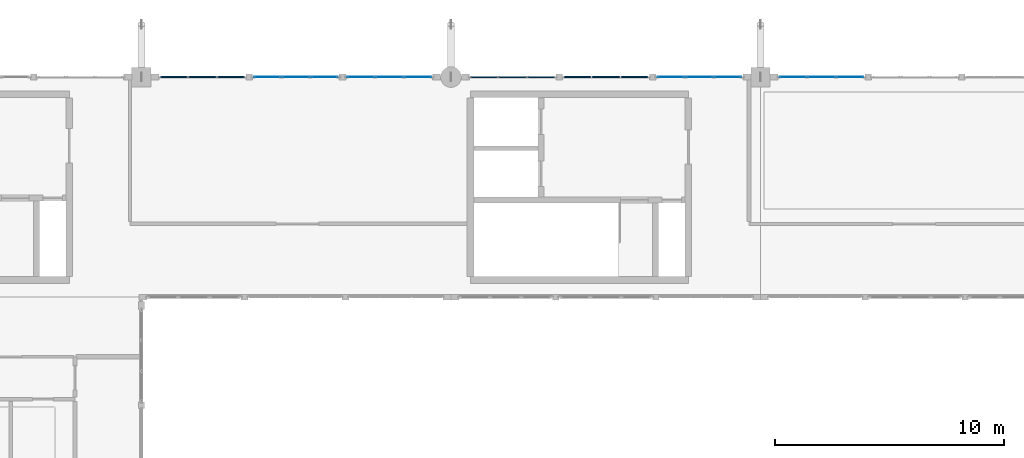
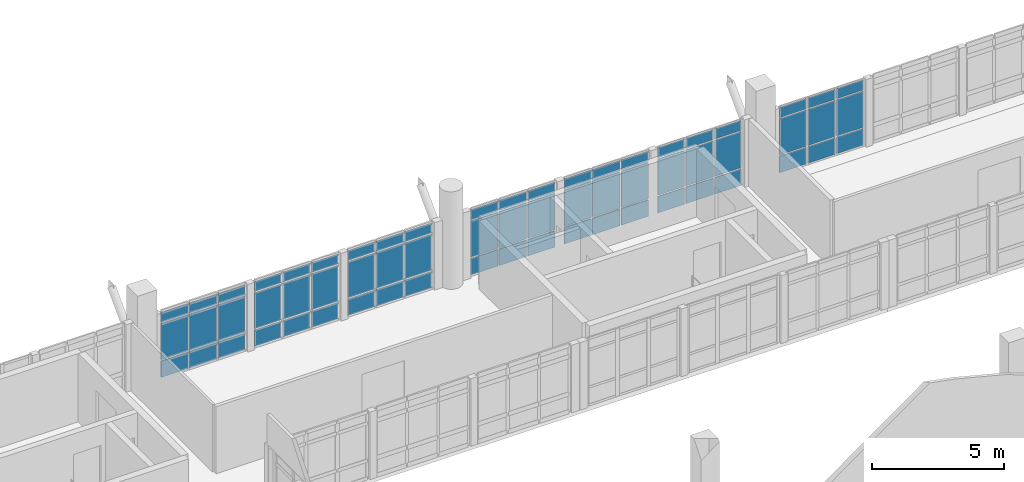
# One storey, part 26 of 37: 63 plates, 7 elements without a shape of their own.
"""IFC4 building model written with IfcOpenShell, lengths in metres."""

from ifc_helpers import new_model, si_unit, direction, frame, origin, origin_2d, place, context, subcontext, project, spatial, rectangle, extrude, material, layer, layer_set, type_object, element, aggregate, save


model = new_model("IFC4")

# Units and contexts
model_context = context("Model", 3, precision=1e-05, world=origin(), true_north=direction((0.0, 1.0)))
body_context = subcontext(model_context, "Body", "Model", "MODEL_VIEW")
ifc_project = project(units=[si_unit("LENGTHUNIT", "METRE"), si_unit("AREAUNIT", "SQUARE_METRE"), si_unit("VOLUMEUNIT", "CUBIC_METRE"), si_unit("PLANEANGLEUNIT", "RADIAN"), si_unit("MASSUNIT", "GRAM", prefix="KILO")], contexts=[model_context])

# Site, building, storey
site_placement = place(None, origin())
site = spatial("IfcSite", under=ifc_project, at=site_placement, CompositionType="ELEMENT")
building_placement = place(site_placement, origin())
building = spatial("IfcBuilding", under=site, at=building_placement, Name="Fikremerkos Civic Library", CompositionType="ELEMENT")
storey_placement = place(building_placement, frame((0.0, 0.0, 23.39990234375)))
storey = spatial("IfcBuildingStorey", under=building, at=storey_placement, Name="L05", CompositionType="ELEMENT", Elevation=23.39990234375)

# Curtain wall, plates
ifc_material_1 = material(Name="Anodized aluminium Frame", Category="aluminium")
ifc_layer_1 = layer(ifc_material_1, 0.159912109375, Name="Anodized aluminium Frame")
ifc_layer_set_1 = layer_set([ifc_layer_1], Name="Anodized aluminium Frame")
curtain_wall_type_1 = type_object("IfcCurtainWallType", Name="Unitised curtain wall CW-09 3600x3400", PredefinedType="USERDEFINED", material=ifc_layer_set_1)
curtain_wall_1_placement = place(storey_placement, origin())
curtain_wall_1 = element("IfcCurtainWall", 1, at=curtain_wall_1_placement, inside=storey, type_object=curtain_wall_type_1, Name="Unitised curtain wall CW-09 L05 #261", ObjectType="UNITISED CURTAIN WALL", PredefinedType="USERDEFINED")
ifc_material_2 = material(Name="Solar control double glazing", Category="glass")
ifc_layer_2 = layer(ifc_material_2, 0.028076171875, Name="Solar control double glazing")
ifc_layer_set_2 = layer_set([ifc_layer_2], Name="Solar control double glazing")
plate_type_1 = type_object("IfcPlateType", Name="Curtain glazing panel CWP-01 28", PredefinedType="CURTAIN_PANEL", material=ifc_layer_set_2)
plate_1_placement = place(storey_placement, frame((38.195068359375, 31.199951171875, 0.070068359375), z_axis=(0.0, 0.0, 1.0), x_axis=(1.0, 0.0, 0.0)))
plate_1 = element("IfcPlate", 2, at=plate_1_placement, type_object=plate_type_1, Name="CW-09 panel 1.1", PredefinedType="CURTAIN_PANEL", context=body_context, shape_type="SweptSolid", body=[
    extrude(rectangle(XDim=1.161376953125, YDim=0.028076171875, at=origin_2d()), origin(), (0.0, 0.0, 1.0), 0.7451171875),
])
plate_2_placement = place(storey_placement, frame((38.195068359375, 31.199951171875, 0.88525390625), z_axis=(0.0, 0.0, 1.0), x_axis=(1.0, 0.0, 0.0)))
plate_2 = element("IfcPlate", 3, at=plate_2_placement, type_object=plate_type_1, Name="CW-09 panel 1.2", PredefinedType="CURTAIN_PANEL", context=body_context, shape_type="SweptSolid", body=[
    extrude(rectangle(XDim=1.161376953125, YDim=0.028076171875, at=origin_2d()), origin(), (0.0, 0.0, 1.0), 1.64990234375),
])
plate_3_placement = place(storey_placement, frame((38.195068359375, 31.199951171875, 2.60498046875), z_axis=(0.0, 0.0, 1.0), x_axis=(1.0, 0.0, 0.0)))
plate_3 = element("IfcPlate", 4, at=plate_3_placement, type_object=plate_type_1, Name="CW-09 panel 1.3", PredefinedType="CURTAIN_PANEL", context=body_context, shape_type="SweptSolid", body=[
    extrude(rectangle(XDim=1.161376953125, YDim=0.028076171875, at=origin_2d()), origin(), (0.0, 0.0, 1.0), 0.445068359375),
])
plate_4_placement = place(storey_placement, frame((39.4375, 31.199951171875, 0.070068359375), z_axis=(0.0, 0.0, 1.0), x_axis=(1.0, 0.0, 0.0)))
plate_4 = element("IfcPlate", 5, at=plate_4_placement, type_object=plate_type_1, Name="CW-09 panel 2.1", PredefinedType="CURTAIN_PANEL", context=body_context, shape_type="SweptSolid", body=[
    extrude(rectangle(XDim=1.19384765625, YDim=0.028076171875, at=origin_2d()), origin(), (0.0, 0.0, 1.0), 0.7451171875),
])
plate_5_placement = place(storey_placement, frame((39.4375, 31.199951171875, 0.88525390625), z_axis=(0.0, 0.0, 1.0), x_axis=(1.0, 0.0, 0.0)))
plate_5 = element("IfcPlate", 6, at=plate_5_placement, type_object=plate_type_1, Name="CW-09 panel 2.2", PredefinedType="CURTAIN_PANEL", context=body_context, shape_type="SweptSolid", body=[
    extrude(rectangle(XDim=1.19384765625, YDim=0.028076171875, at=origin_2d()), origin(), (0.0, 0.0, 1.0), 1.64990234375),
])
plate_6_placement = place(storey_placement, frame((39.4375, 31.199951171875, 2.60498046875), z_axis=(0.0, 0.0, 1.0), x_axis=(1.0, 0.0, 0.0)))
plate_6 = element("IfcPlate", 7, at=plate_6_placement, type_object=plate_type_1, Name="CW-09 panel 2.3", PredefinedType="CURTAIN_PANEL", context=body_context, shape_type="SweptSolid", body=[
    extrude(rectangle(XDim=1.19384765625, YDim=0.028076171875, at=origin_2d()), origin(), (0.0, 0.0, 1.0), 0.445068359375),
])
plate_7_placement = place(storey_placement, frame((40.679931640625, 31.199951171875, 0.070068359375), z_axis=(0.0, 0.0, 1.0), x_axis=(1.0, 0.0, 0.0)))
plate_7 = element("IfcPlate", 8, at=plate_7_placement, type_object=plate_type_1, Name="CW-09 panel 3.1", PredefinedType="CURTAIN_PANEL", context=body_context, shape_type="SweptSolid", body=[
    extrude(rectangle(XDim=1.161376953125, YDim=0.028076171875, at=origin_2d()), origin(), (0.0, 0.0, 1.0), 0.7451171875),
])
plate_8_placement = place(storey_placement, frame((40.679931640625, 31.199951171875, 0.88525390625), z_axis=(0.0, 0.0, 1.0), x_axis=(1.0, 0.0, 0.0)))
plate_8 = element("IfcPlate", 9, at=plate_8_placement, type_object=plate_type_1, Name="CW-09 panel 3.2", PredefinedType="CURTAIN_PANEL", context=body_context, shape_type="SweptSolid", body=[
    extrude(rectangle(XDim=1.161376953125, YDim=0.028076171875, at=origin_2d()), origin(), (0.0, 0.0, 1.0), 1.64990234375),
])
plate_9_placement = place(storey_placement, frame((40.679931640625, 31.199951171875, 2.60498046875), z_axis=(0.0, 0.0, 1.0), x_axis=(1.0, 0.0, 0.0)))
plate_9 = element("IfcPlate", 10, at=plate_9_placement, type_object=plate_type_1, Name="CW-09 panel 3.3", PredefinedType="CURTAIN_PANEL", context=body_context, shape_type="SweptSolid", body=[
    extrude(rectangle(XDim=1.161376953125, YDim=0.028076171875, at=origin_2d()), origin(), (0.0, 0.0, 1.0), 0.445068359375),
])
aggregate(curtain_wall_1, [plate_1, plate_2, plate_3, plate_4, plate_5, plate_6, plate_7, plate_8, plate_9])

ifc_layer_3 = layer(ifc_material_1, 0.159912109375, Name="Anodized aluminium Frame")
ifc_layer_set_3 = layer_set([ifc_layer_3], Name="Anodized aluminium Frame")
curtain_wall_type_2 = type_object("IfcCurtainWallType", Name="Unitised curtain wall CW-13 3700x3200", PredefinedType="USERDEFINED", material=ifc_layer_set_3)
curtain_wall_2_placement = place(storey_placement, origin())
curtain_wall_2 = element("IfcCurtainWall", 11, at=curtain_wall_2_placement, inside=storey, type_object=curtain_wall_type_2, Name="Unitised curtain wall CW-13 L05 #265", ObjectType="UNITISED CURTAIN WALL", PredefinedType="USERDEFINED")
plate_10_placement = place(storey_placement, frame((55.79638671875, 31.199951171875, 0.06005859375), z_axis=(0.0, 0.0, 1.0), x_axis=(1.0, 0.0, 0.0)))
plate_10 = element("IfcPlate", 12, at=plate_10_placement, type_object=plate_type_1, Name="CW-13 panel 1.1", PredefinedType="CURTAIN_PANEL", context=body_context, shape_type="SweptSolid", body=[
    extrude(rectangle(XDim=1.161376953125, YDim=0.028076171875, at=origin_2d()), origin(), (0.0, 0.0, 1.0), 0.760009765625),
])
plate_11_placement = place(storey_placement, frame((55.79638671875, 31.199951171875, 0.88037109375), z_axis=(0.0, 0.0, 1.0), x_axis=(1.0, 0.0, 0.0)))
plate_11 = element("IfcPlate", 13, at=plate_11_placement, type_object=plate_type_1, Name="CW-13 panel 1.2", PredefinedType="CURTAIN_PANEL", context=body_context, shape_type="SweptSolid", body=[
    extrude(rectangle(XDim=1.161376953125, YDim=0.028076171875, at=origin_2d()), origin(), (0.0, 0.0, 1.0), 1.659912109375),
])
plate_12_placement = place(storey_placement, frame((55.79638671875, 31.199951171875, 2.60009765625), z_axis=(0.0, 0.0, 1.0), x_axis=(1.0, 0.0, 0.0)))
plate_12 = element("IfcPlate", 14, at=plate_12_placement, type_object=plate_type_1, Name="CW-13 panel 1.3", PredefinedType="CURTAIN_PANEL", context=body_context, shape_type="SweptSolid", body=[
    extrude(rectangle(XDim=1.161376953125, YDim=0.028076171875, at=origin_2d()), origin(), (0.0, 0.0, 1.0), 0.4599609375),
])
plate_13_placement = place(storey_placement, frame((57.038818359375, 31.199951171875, 0.06005859375), z_axis=(0.0, 0.0, 1.0), x_axis=(1.0, 0.0, 0.0)))
plate_13 = element("IfcPlate", 15, at=plate_13_placement, type_object=plate_type_1, Name="CW-13 panel 2.1", PredefinedType="CURTAIN_PANEL", context=body_context, shape_type="SweptSolid", body=[
    extrude(rectangle(XDim=1.19384765625, YDim=0.028076171875, at=origin_2d()), origin(), (0.0, 0.0, 1.0), 0.760009765625),
])
plate_14_placement = place(storey_placement, frame((57.038818359375, 31.199951171875, 0.88037109375), z_axis=(0.0, 0.0, 1.0), x_axis=(1.0, 0.0, 0.0)))
plate_14 = element("IfcPlate", 16, at=plate_14_placement, type_object=plate_type_1, Name="CW-13 panel 2.2", PredefinedType="CURTAIN_PANEL", context=body_context, shape_type="SweptSolid", body=[
    extrude(rectangle(XDim=1.19384765625, YDim=0.028076171875, at=origin_2d()), origin(), (0.0, 0.0, 1.0), 1.659912109375),
])
plate_15_placement = place(storey_placement, frame((57.038818359375, 31.199951171875, 2.60009765625), z_axis=(0.0, 0.0, 1.0), x_axis=(1.0, 0.0, 0.0)))
plate_15 = element("IfcPlate", 17, at=plate_15_placement, type_object=plate_type_1, Name="CW-13 panel 2.3", PredefinedType="CURTAIN_PANEL", context=body_context, shape_type="SweptSolid", body=[
    extrude(rectangle(XDim=1.19384765625, YDim=0.028076171875, at=origin_2d()), origin(), (0.0, 0.0, 1.0), 0.4599609375),
])
plate_16_placement = place(storey_placement, frame((58.28125, 31.199951171875, 0.06005859375), z_axis=(0.0, 0.0, 1.0), x_axis=(1.0, 0.0, 0.0)))
plate_16 = element("IfcPlate", 18, at=plate_16_placement, type_object=plate_type_1, Name="CW-13 panel 3.1", PredefinedType="CURTAIN_PANEL", context=body_context, shape_type="SweptSolid", body=[
    extrude(rectangle(XDim=1.161376953125, YDim=0.028076171875, at=origin_2d()), origin(), (0.0, 0.0, 1.0), 0.760009765625),
])
plate_17_placement = place(storey_placement, frame((58.28125, 31.199951171875, 0.88037109375), z_axis=(0.0, 0.0, 1.0), x_axis=(1.0, 0.0, 0.0)))
plate_17 = element("IfcPlate", 19, at=plate_17_placement, type_object=plate_type_1, Name="CW-13 panel 3.2", PredefinedType="CURTAIN_PANEL", context=body_context, shape_type="SweptSolid", body=[
    extrude(rectangle(XDim=1.161376953125, YDim=0.028076171875, at=origin_2d()), origin(), (0.0, 0.0, 1.0), 1.659912109375),
])
plate_18_placement = place(storey_placement, frame((58.28125, 31.199951171875, 2.60009765625), z_axis=(0.0, 0.0, 1.0), x_axis=(1.0, 0.0, 0.0)))
plate_18 = element("IfcPlate", 20, at=plate_18_placement, type_object=plate_type_1, Name="CW-13 panel 3.3", PredefinedType="CURTAIN_PANEL", context=body_context, shape_type="SweptSolid", body=[
    extrude(rectangle(XDim=1.161376953125, YDim=0.028076171875, at=origin_2d()), origin(), (0.0, 0.0, 1.0), 0.4599609375),
])
aggregate(curtain_wall_2, [plate_10, plate_11, plate_12, plate_13, plate_14, plate_15, plate_16, plate_17, plate_18])

ifc_layer_4 = layer(ifc_material_1, 0.159912109375, Name="Anodized aluminium Frame")
ifc_layer_set_4 = layer_set([ifc_layer_4], Name="Anodized aluminium Frame")
curtain_wall_type_3 = type_object("IfcCurtainWallType", Name="Unitised curtain wall CW-10 4000x3400", PredefinedType="USERDEFINED", material=ifc_layer_set_4)
curtain_wall_3_placement = place(storey_placement, origin())
curtain_wall_3 = element("IfcCurtainWall", 21, at=curtain_wall_3_placement, inside=storey, type_object=curtain_wall_type_3, Name="Unitised curtain wall CW-10 L05 #262", ObjectType="UNITISED CURTAIN WALL", PredefinedType="USERDEFINED")
ifc_layer_5 = layer(ifc_material_2, 0.035888671875, Name="Solar control double glazing")
ifc_layer_set_5 = layer_set([ifc_layer_5], Name="Solar control double glazing")
plate_type_2 = type_object("IfcPlateType", Name="Curtain glazing panel CWP-02 36", PredefinedType="CURTAIN_PANEL", material=ifc_layer_set_5)
plate_19_placement = place(storey_placement, frame((42.27001953125, 31.199951171875, 0.070068359375), z_axis=(0.0, 0.0, 1.0), x_axis=(1.0, 0.0, 0.0)))
plate_19 = element("IfcPlate", 22, at=plate_19_placement, type_object=plate_type_2, Name="CW-10 panel 1.1", PredefinedType="CURTAIN_PANEL", context=body_context, shape_type="SweptSolid", body=[
    extrude(rectangle(XDim=1.168701171875, YDim=0.035888671875, at=origin_2d()), origin(), (0.0, 0.0, 1.0), 0.7451171875),
])
plate_20_placement = place(storey_placement, frame((42.27001953125, 31.199951171875, 0.88525390625), z_axis=(0.0, 0.0, 1.0), x_axis=(1.0, 0.0, 0.0)))
plate_20 = element("IfcPlate", 23, at=plate_20_placement, type_object=plate_type_2, Name="CW-10 panel 1.2", PredefinedType="CURTAIN_PANEL", context=body_context, shape_type="SweptSolid", body=[
    extrude(rectangle(XDim=1.168701171875, YDim=0.035888671875, at=origin_2d()), origin(), (0.0, 0.0, 1.0), 1.64990234375),
])
plate_21_placement = place(storey_placement, frame((42.27001953125, 31.199951171875, 2.60498046875), z_axis=(0.0, 0.0, 1.0), x_axis=(1.0, 0.0, 0.0)))
plate_21 = element("IfcPlate", 24, at=plate_21_placement, type_object=plate_type_2, Name="CW-10 panel 1.3", PredefinedType="CURTAIN_PANEL", context=body_context, shape_type="SweptSolid", body=[
    extrude(rectangle(XDim=1.168701171875, YDim=0.035888671875, at=origin_2d()), origin(), (0.0, 0.0, 1.0), 0.445068359375),
])
plate_22_placement = place(storey_placement, frame((43.513916015625, 31.199951171875, 0.070068359375), z_axis=(0.0, 0.0, 1.0), x_axis=(1.0, 0.0, 0.0)))
plate_22 = element("IfcPlate", 25, at=plate_22_placement, type_object=plate_type_2, Name="CW-10 panel 2.1", PredefinedType="CURTAIN_PANEL", context=body_context, shape_type="SweptSolid", body=[
    extrude(rectangle(XDim=1.19873046875, YDim=0.035888671875, at=origin_2d()), origin(), (0.0, 0.0, 1.0), 0.7451171875),
])
plate_23_placement = place(storey_placement, frame((43.513916015625, 31.199951171875, 0.88525390625), z_axis=(0.0, 0.0, 1.0), x_axis=(1.0, 0.0, 0.0)))
plate_23 = element("IfcPlate", 26, at=plate_23_placement, type_object=plate_type_2, Name="CW-10 panel 2.2", PredefinedType="CURTAIN_PANEL", context=body_context, shape_type="SweptSolid", body=[
    extrude(rectangle(XDim=1.19873046875, YDim=0.035888671875, at=origin_2d()), origin(), (0.0, 0.0, 1.0), 1.64990234375),
])
plate_24_placement = place(storey_placement, frame((43.513916015625, 31.199951171875, 2.60498046875), z_axis=(0.0, 0.0, 1.0), x_axis=(1.0, 0.0, 0.0)))
plate_24 = element("IfcPlate", 27, at=plate_24_placement, type_object=plate_type_2, Name="CW-10 panel 2.3", PredefinedType="CURTAIN_PANEL", context=body_context, shape_type="SweptSolid", body=[
    extrude(rectangle(XDim=1.19873046875, YDim=0.035888671875, at=origin_2d()), origin(), (0.0, 0.0, 1.0), 0.445068359375),
])
plate_25_placement = place(storey_placement, frame((44.757568359375, 31.199951171875, 0.070068359375), z_axis=(0.0, 0.0, 1.0), x_axis=(1.0, 0.0, 0.0)))
plate_25 = element("IfcPlate", 28, at=plate_25_placement, type_object=plate_type_2, Name="CW-10 panel 3.1", PredefinedType="CURTAIN_PANEL", context=body_context, shape_type="SweptSolid", body=[
    extrude(rectangle(XDim=1.168701171875, YDim=0.035888671875, at=origin_2d()), origin(), (0.0, 0.0, 1.0), 0.7451171875),
])
plate_26_placement = place(storey_placement, frame((44.757568359375, 31.199951171875, 0.88525390625), z_axis=(0.0, 0.0, 1.0), x_axis=(1.0, 0.0, 0.0)))
plate_26 = element("IfcPlate", 29, at=plate_26_placement, type_object=plate_type_2, Name="CW-10 panel 3.2", PredefinedType="CURTAIN_PANEL", context=body_context, shape_type="SweptSolid", body=[
    extrude(rectangle(XDim=1.168701171875, YDim=0.035888671875, at=origin_2d()), origin(), (0.0, 0.0, 1.0), 1.64990234375),
])
plate_27_placement = place(storey_placement, frame((44.757568359375, 31.199951171875, 2.60498046875), z_axis=(0.0, 0.0, 1.0), x_axis=(1.0, 0.0, 0.0)))
plate_27 = element("IfcPlate", 30, at=plate_27_placement, type_object=plate_type_2, Name="CW-10 panel 3.3", PredefinedType="CURTAIN_PANEL", context=body_context, shape_type="SweptSolid", body=[
    extrude(rectangle(XDim=1.168701171875, YDim=0.035888671875, at=origin_2d()), origin(), (0.0, 0.0, 1.0), 0.445068359375),
])
aggregate(curtain_wall_3, [plate_19, plate_20, plate_21, plate_22, plate_23, plate_24, plate_25, plate_26, plate_27])

ifc_layer_6 = layer(ifc_material_1, 0.159912109375, Name="Anodized aluminium Frame")
ifc_layer_set_6 = layer_set([ifc_layer_6], Name="Anodized aluminium Frame")
curtain_wall_type_4 = type_object("IfcCurtainWallType", Name="Unitised curtain wall CW-14 4100x3200", PredefinedType="USERDEFINED", material=ifc_layer_set_6)
curtain_wall_4_placement = place(storey_placement, origin())
curtain_wall_4 = element("IfcCurtainWall", 31, at=curtain_wall_4_placement, inside=storey, type_object=curtain_wall_type_4, Name="Unitised curtain wall CW-14 L05 #266", ObjectType="UNITISED CURTAIN WALL", PredefinedType="USERDEFINED")
plate_28_placement = place(storey_placement, frame((61.117431640625, 31.199951171875, 0.06005859375), z_axis=(0.0, 0.0, 1.0), x_axis=(1.0, 0.0, 0.0)))
plate_28 = element("IfcPlate", 32, at=plate_28_placement, type_object=plate_type_2, Name="CW-14 panel 1.1", PredefinedType="CURTAIN_PANEL", context=body_context, shape_type="SweptSolid", body=[
    extrude(rectangle(XDim=1.168701171875, YDim=0.035888671875, at=origin_2d()), origin(), (0.0, 0.0, 1.0), 0.760009765625),
])
plate_29_placement = place(storey_placement, frame((61.117431640625, 31.199951171875, 0.88037109375), z_axis=(0.0, 0.0, 1.0), x_axis=(1.0, 0.0, 0.0)))
plate_29 = element("IfcPlate", 33, at=plate_29_placement, type_object=plate_type_2, Name="CW-14 panel 1.2", PredefinedType="CURTAIN_PANEL", context=body_context, shape_type="SweptSolid", body=[
    extrude(rectangle(XDim=1.168701171875, YDim=0.035888671875, at=origin_2d()), origin(), (0.0, 0.0, 1.0), 1.659912109375),
])
plate_30_placement = place(storey_placement, frame((61.117431640625, 31.199951171875, 2.60009765625), z_axis=(0.0, 0.0, 1.0), x_axis=(1.0, 0.0, 0.0)))
plate_30 = element("IfcPlate", 34, at=plate_30_placement, type_object=plate_type_2, Name="CW-14 panel 1.3", PredefinedType="CURTAIN_PANEL", context=body_context, shape_type="SweptSolid", body=[
    extrude(rectangle(XDim=1.168701171875, YDim=0.035888671875, at=origin_2d()), origin(), (0.0, 0.0, 1.0), 0.4599609375),
])
plate_31_placement = place(storey_placement, frame((62.361083984375, 31.199951171875, 0.06005859375), z_axis=(0.0, 0.0, 1.0), x_axis=(1.0, 0.0, 0.0)))
plate_31 = element("IfcPlate", 35, at=plate_31_placement, type_object=plate_type_2, Name="CW-14 panel 2.1", PredefinedType="CURTAIN_PANEL", context=body_context, shape_type="SweptSolid", body=[
    extrude(rectangle(XDim=1.19873046875, YDim=0.035888671875, at=origin_2d()), origin(), (0.0, 0.0, 1.0), 0.760009765625),
])
plate_32_placement = place(storey_placement, frame((62.361083984375, 31.199951171875, 0.88037109375), z_axis=(0.0, 0.0, 1.0), x_axis=(1.0, 0.0, 0.0)))
plate_32 = element("IfcPlate", 36, at=plate_32_placement, type_object=plate_type_2, Name="CW-14 panel 2.2", PredefinedType="CURTAIN_PANEL", context=body_context, shape_type="SweptSolid", body=[
    extrude(rectangle(XDim=1.19873046875, YDim=0.035888671875, at=origin_2d()), origin(), (0.0, 0.0, 1.0), 1.659912109375),
])
plate_33_placement = place(storey_placement, frame((62.361083984375, 31.199951171875, 2.60009765625), z_axis=(0.0, 0.0, 1.0), x_axis=(1.0, 0.0, 0.0)))
plate_33 = element("IfcPlate", 37, at=plate_33_placement, type_object=plate_type_2, Name="CW-14 panel 2.3", PredefinedType="CURTAIN_PANEL", context=body_context, shape_type="SweptSolid", body=[
    extrude(rectangle(XDim=1.19873046875, YDim=0.035888671875, at=origin_2d()), origin(), (0.0, 0.0, 1.0), 0.4599609375),
])
plate_34_placement = place(storey_placement, frame((63.60498046875, 31.199951171875, 0.06005859375), z_axis=(0.0, 0.0, 1.0), x_axis=(1.0, 0.0, 0.0)))
plate_34 = element("IfcPlate", 38, at=plate_34_placement, type_object=plate_type_2, Name="CW-14 panel 3.1", PredefinedType="CURTAIN_PANEL", context=body_context, shape_type="SweptSolid", body=[
    extrude(rectangle(XDim=1.168701171875, YDim=0.035888671875, at=origin_2d()), origin(), (0.0, 0.0, 1.0), 0.760009765625),
])
plate_35_placement = place(storey_placement, frame((63.60498046875, 31.199951171875, 0.88037109375), z_axis=(0.0, 0.0, 1.0), x_axis=(1.0, 0.0, 0.0)))
plate_35 = element("IfcPlate", 39, at=plate_35_placement, type_object=plate_type_2, Name="CW-14 panel 3.2", PredefinedType="CURTAIN_PANEL", context=body_context, shape_type="SweptSolid", body=[
    extrude(rectangle(XDim=1.168701171875, YDim=0.035888671875, at=origin_2d()), origin(), (0.0, 0.0, 1.0), 1.659912109375),
])
plate_36_placement = place(storey_placement, frame((63.60498046875, 31.199951171875, 2.60009765625), z_axis=(0.0, 0.0, 1.0), x_axis=(1.0, 0.0, 0.0)))
plate_36 = element("IfcPlate", 40, at=plate_36_placement, type_object=plate_type_2, Name="CW-14 panel 3.3", PredefinedType="CURTAIN_PANEL", context=body_context, shape_type="SweptSolid", body=[
    extrude(rectangle(XDim=1.168701171875, YDim=0.035888671875, at=origin_2d()), origin(), (0.0, 0.0, 1.0), 0.4599609375),
])
aggregate(curtain_wall_4, [plate_28, plate_29, plate_30, plate_31, plate_32, plate_33, plate_34, plate_35, plate_36])

ifc_layer_7 = layer(ifc_material_1, 0.159912109375, Name="Anodized aluminium Frame")
ifc_layer_set_7 = layer_set([ifc_layer_7], Name="Anodized aluminium Frame")
curtain_wall_type_5 = type_object("IfcCurtainWallType", Name="Unitised curtain wall CW-11 3200x3400", PredefinedType="USERDEFINED", material=ifc_layer_set_7)
curtain_wall_5_placement = place(storey_placement, origin())
curtain_wall_5 = element("IfcCurtainWall", 41, at=curtain_wall_5_placement, inside=storey, type_object=curtain_wall_type_5, Name="Unitised curtain wall CW-11 L05 #263", ObjectType="UNITISED CURTAIN WALL", PredefinedType="USERDEFINED")
ifc_material_3 = material(Name="Insulated aluminium spandrel", Category="aluminium")
ifc_layer_8 = layer(ifc_material_3, 0.044921875, Name="Insulated aluminium spandrel")
ifc_layer_set_8 = layer_set([ifc_layer_8], Name="Insulated aluminium spandrel")
plate_type_3 = type_object("IfcPlateType", Name="Curtain spandrel panel CSP-01 45", PredefinedType="CURTAIN_PANEL", material=ifc_layer_set_8)
plate_37_placement = place(storey_placement, frame((47.642333984375, 31.199951171875, 0.065185546875), z_axis=(0.0, 0.0, 1.0), x_axis=(1.0, 0.0, 0.0)))
plate_37 = element("IfcPlate", 42, at=plate_37_placement, type_object=plate_type_3, Name="CW-11 panel 1.1", PredefinedType="CURTAIN_PANEL", context=body_context, shape_type="SweptSolid", body=[
    extrude(rectangle(XDim=1.168701171875, YDim=0.044921875, at=origin_2d()), origin(), (0.0, 0.0, 1.0), 0.75244140625),
])
plate_38_placement = place(storey_placement, frame((47.642333984375, 31.199951171875, 0.8828125), z_axis=(0.0, 0.0, 1.0), x_axis=(1.0, 0.0, 0.0)))
plate_38 = element("IfcPlate", 43, at=plate_38_placement, type_object=plate_type_3, Name="CW-11 panel 1.2", PredefinedType="CURTAIN_PANEL", context=body_context, shape_type="SweptSolid", body=[
    extrude(rectangle(XDim=1.168701171875, YDim=0.044921875, at=origin_2d()), origin(), (0.0, 0.0, 1.0), 1.655029296875),
])
plate_39_placement = place(storey_placement, frame((47.642333984375, 31.199951171875, 2.6025390625), z_axis=(0.0, 0.0, 1.0), x_axis=(1.0, 0.0, 0.0)))
plate_39 = element("IfcPlate", 44, at=plate_39_placement, type_object=plate_type_3, Name="CW-11 panel 1.3", PredefinedType="CURTAIN_PANEL", context=body_context, shape_type="SweptSolid", body=[
    extrude(rectangle(XDim=1.168701171875, YDim=0.044921875, at=origin_2d()), origin(), (0.0, 0.0, 1.0), 0.452392578125),
])
plate_40_placement = place(storey_placement, frame((48.88623046875, 31.199951171875, 0.065185546875), z_axis=(0.0, 0.0, 1.0), x_axis=(1.0, 0.0, 0.0)))
plate_40 = element("IfcPlate", 45, at=plate_40_placement, type_object=plate_type_3, Name="CW-11 panel 2.1", PredefinedType="CURTAIN_PANEL", context=body_context, shape_type="SweptSolid", body=[
    extrude(rectangle(XDim=1.19873046875, YDim=0.044921875, at=origin_2d()), origin(), (0.0, 0.0, 1.0), 0.75244140625),
])
plate_41_placement = place(storey_placement, frame((48.88623046875, 31.199951171875, 0.8828125), z_axis=(0.0, 0.0, 1.0), x_axis=(1.0, 0.0, 0.0)))
plate_41 = element("IfcPlate", 46, at=plate_41_placement, type_object=plate_type_3, Name="CW-11 panel 2.2", PredefinedType="CURTAIN_PANEL", context=body_context, shape_type="SweptSolid", body=[
    extrude(rectangle(XDim=1.19873046875, YDim=0.044921875, at=origin_2d()), origin(), (0.0, 0.0, 1.0), 1.655029296875),
])
plate_42_placement = place(storey_placement, frame((48.88623046875, 31.199951171875, 2.6025390625), z_axis=(0.0, 0.0, 1.0), x_axis=(1.0, 0.0, 0.0)))
plate_42 = element("IfcPlate", 47, at=plate_42_placement, type_object=plate_type_3, Name="CW-11 panel 2.3", PredefinedType="CURTAIN_PANEL", context=body_context, shape_type="SweptSolid", body=[
    extrude(rectangle(XDim=1.19873046875, YDim=0.044921875, at=origin_2d()), origin(), (0.0, 0.0, 1.0), 0.452392578125),
])
plate_43_placement = place(storey_placement, frame((50.1298828125, 31.199951171875, 0.065185546875), z_axis=(0.0, 0.0, 1.0), x_axis=(1.0, 0.0, 0.0)))
plate_43 = element("IfcPlate", 48, at=plate_43_placement, type_object=plate_type_3, Name="CW-11 panel 3.1", PredefinedType="CURTAIN_PANEL", context=body_context, shape_type="SweptSolid", body=[
    extrude(rectangle(XDim=1.168701171875, YDim=0.044921875, at=origin_2d()), origin(), (0.0, 0.0, 1.0), 0.75244140625),
])
plate_44_placement = place(storey_placement, frame((50.1298828125, 31.199951171875, 0.8828125), z_axis=(0.0, 0.0, 1.0), x_axis=(1.0, 0.0, 0.0)))
plate_44 = element("IfcPlate", 49, at=plate_44_placement, type_object=plate_type_3, Name="CW-11 panel 3.2", PredefinedType="CURTAIN_PANEL", context=body_context, shape_type="SweptSolid", body=[
    extrude(rectangle(XDim=1.168701171875, YDim=0.044921875, at=origin_2d()), origin(), (0.0, 0.0, 1.0), 1.655029296875),
])
plate_45_placement = place(storey_placement, frame((50.1298828125, 31.199951171875, 2.6025390625), z_axis=(0.0, 0.0, 1.0), x_axis=(1.0, 0.0, 0.0)))
plate_45 = element("IfcPlate", 50, at=plate_45_placement, type_object=plate_type_3, Name="CW-11 panel 3.3", PredefinedType="CURTAIN_PANEL", context=body_context, shape_type="SweptSolid", body=[
    extrude(rectangle(XDim=1.168701171875, YDim=0.044921875, at=origin_2d()), origin(), (0.0, 0.0, 1.0), 0.452392578125),
])
aggregate(curtain_wall_5, [plate_37, plate_38, plate_39, plate_40, plate_41, plate_42, plate_43, plate_44, plate_45])

ifc_layer_9 = layer(ifc_material_1, 0.159912109375, Name="Anodized aluminium Frame")
ifc_layer_set_9 = layer_set([ifc_layer_9], Name="Anodized aluminium Frame")
curtain_wall_type_6 = type_object("IfcCurtainWallType", Name="Unitised curtain wall CW-08 4500x4100", PredefinedType="USERDEFINED", material=ifc_layer_set_9)
curtain_wall_6_placement = place(storey_placement, origin())
curtain_wall_6 = element("IfcCurtainWall", 51, at=curtain_wall_6_placement, inside=storey, type_object=curtain_wall_type_6, Name="Unitised curtain wall CW-08 L05 #260", ObjectType="UNITISED CURTAIN WALL", PredefinedType="USERDEFINED")
ifc_layer_10 = layer(ifc_material_3, 0.054931640625, Name="Insulated aluminium spandrel")
ifc_layer_set_10 = layer_set([ifc_layer_10], Name="Insulated aluminium spandrel")
plate_type_4 = type_object("IfcPlateType", Name="Curtain spandrel panel CSP-02 55", PredefinedType="CURTAIN_PANEL", material=ifc_layer_set_10)
plate_46_placement = place(storey_placement, frame((34.117431640625, 31.199951171875, 0.070068359375), z_axis=(0.0, 0.0, 1.0), x_axis=(1.0, 0.0, 0.0)))
plate_46 = element("IfcPlate", 52, at=plate_46_placement, type_object=plate_type_4, Name="CW-08 panel 1.1", PredefinedType="CURTAIN_PANEL", context=body_context, shape_type="SweptSolid", body=[
    extrude(rectangle(XDim=1.168701171875, YDim=0.054931640625, at=origin_2d()), origin(), (0.0, 0.0, 1.0), 0.7451171875),
])
plate_47_placement = place(storey_placement, frame((34.117431640625, 31.199951171875, 0.88525390625), z_axis=(0.0, 0.0, 1.0), x_axis=(1.0, 0.0, 0.0)))
plate_47 = element("IfcPlate", 53, at=plate_47_placement, type_object=plate_type_4, Name="CW-08 panel 1.2", PredefinedType="CURTAIN_PANEL", context=body_context, shape_type="SweptSolid", body=[
    extrude(rectangle(XDim=1.168701171875, YDim=0.054931640625, at=origin_2d()), origin(), (0.0, 0.0, 1.0), 1.64990234375),
])
plate_48_placement = place(storey_placement, frame((34.117431640625, 31.199951171875, 2.60498046875), z_axis=(0.0, 0.0, 1.0), x_axis=(1.0, 0.0, 0.0)))
plate_48 = element("IfcPlate", 54, at=plate_48_placement, type_object=plate_type_4, Name="CW-08 panel 1.3", PredefinedType="CURTAIN_PANEL", context=body_context, shape_type="SweptSolid", body=[
    extrude(rectangle(XDim=1.168701171875, YDim=0.054931640625, at=origin_2d()), origin(), (0.0, 0.0, 1.0), 0.445068359375),
])
plate_49_placement = place(storey_placement, frame((35.361083984375, 31.199951171875, 0.070068359375), z_axis=(0.0, 0.0, 1.0), x_axis=(1.0, 0.0, 0.0)))
plate_49 = element("IfcPlate", 55, at=plate_49_placement, type_object=plate_type_4, Name="CW-08 panel 2.1", PredefinedType="CURTAIN_PANEL", context=body_context, shape_type="SweptSolid", body=[
    extrude(rectangle(XDim=1.19873046875, YDim=0.054931640625, at=origin_2d()), origin(), (0.0, 0.0, 1.0), 0.7451171875),
])
plate_50_placement = place(storey_placement, frame((35.361083984375, 31.199951171875, 0.88525390625), z_axis=(0.0, 0.0, 1.0), x_axis=(1.0, 0.0, 0.0)))
plate_50 = element("IfcPlate", 56, at=plate_50_placement, type_object=plate_type_4, Name="CW-08 panel 2.2", PredefinedType="CURTAIN_PANEL", context=body_context, shape_type="SweptSolid", body=[
    extrude(rectangle(XDim=1.19873046875, YDim=0.054931640625, at=origin_2d()), origin(), (0.0, 0.0, 1.0), 1.64990234375),
])
plate_51_placement = place(storey_placement, frame((35.361083984375, 31.199951171875, 2.60498046875), z_axis=(0.0, 0.0, 1.0), x_axis=(1.0, 0.0, 0.0)))
plate_51 = element("IfcPlate", 57, at=plate_51_placement, type_object=plate_type_4, Name="CW-08 panel 2.3", PredefinedType="CURTAIN_PANEL", context=body_context, shape_type="SweptSolid", body=[
    extrude(rectangle(XDim=1.19873046875, YDim=0.054931640625, at=origin_2d()), origin(), (0.0, 0.0, 1.0), 0.445068359375),
])
plate_52_placement = place(storey_placement, frame((36.60498046875, 31.199951171875, 0.070068359375), z_axis=(0.0, 0.0, 1.0), x_axis=(1.0, 0.0, 0.0)))
plate_52 = element("IfcPlate", 58, at=plate_52_placement, type_object=plate_type_4, Name="CW-08 panel 3.1", PredefinedType="CURTAIN_PANEL", context=body_context, shape_type="SweptSolid", body=[
    extrude(rectangle(XDim=1.168701171875, YDim=0.054931640625, at=origin_2d()), origin(), (0.0, 0.0, 1.0), 0.7451171875),
])
plate_53_placement = place(storey_placement, frame((36.60498046875, 31.199951171875, 0.88525390625), z_axis=(0.0, 0.0, 1.0), x_axis=(1.0, 0.0, 0.0)))
plate_53 = element("IfcPlate", 59, at=plate_53_placement, type_object=plate_type_4, Name="CW-08 panel 3.2", PredefinedType="CURTAIN_PANEL", context=body_context, shape_type="SweptSolid", body=[
    extrude(rectangle(XDim=1.168701171875, YDim=0.054931640625, at=origin_2d()), origin(), (0.0, 0.0, 1.0), 1.64990234375),
])
plate_54_placement = place(storey_placement, frame((36.60498046875, 31.199951171875, 2.60498046875), z_axis=(0.0, 0.0, 1.0), x_axis=(1.0, 0.0, 0.0)))
plate_54 = element("IfcPlate", 60, at=plate_54_placement, type_object=plate_type_4, Name="CW-08 panel 3.3", PredefinedType="CURTAIN_PANEL", context=body_context, shape_type="SweptSolid", body=[
    extrude(rectangle(XDim=1.168701171875, YDim=0.054931640625, at=origin_2d()), origin(), (0.0, 0.0, 1.0), 0.445068359375),
])
aggregate(curtain_wall_6, [plate_46, plate_47, plate_48, plate_49, plate_50, plate_51, plate_52, plate_53, plate_54])

ifc_layer_11 = layer(ifc_material_1, 0.159912109375, Name="Anodized aluminium Frame")
ifc_layer_set_11 = layer_set([ifc_layer_11], Name="Anodized aluminium Frame")
curtain_wall_type_7 = type_object("IfcCurtainWallType", Name="Unitised curtain wall CW-12 4300x3400", PredefinedType="USERDEFINED", material=ifc_layer_set_11)
curtain_wall_7_placement = place(storey_placement, origin())
curtain_wall_7 = element("IfcCurtainWall", 61, at=curtain_wall_7_placement, inside=storey, type_object=curtain_wall_type_7, Name="Unitised curtain wall CW-12 L05 #264", ObjectType="UNITISED CURTAIN WALL", PredefinedType="USERDEFINED")
plate_55_placement = place(storey_placement, frame((51.71875, 31.199951171875, 0.065185546875), z_axis=(0.0, 0.0, 1.0), x_axis=(1.0, 0.0, 0.0)))
plate_55 = element("IfcPlate", 62, at=plate_55_placement, type_object=plate_type_4, Name="CW-12 panel 1.1", PredefinedType="CURTAIN_PANEL", context=body_context, shape_type="SweptSolid", body=[
    extrude(rectangle(XDim=1.168701171875, YDim=0.054931640625, at=origin_2d()), origin(), (0.0, 0.0, 1.0), 0.75244140625),
])
plate_56_placement = place(storey_placement, frame((51.71875, 31.199951171875, 0.8828125), z_axis=(0.0, 0.0, 1.0), x_axis=(1.0, 0.0, 0.0)))
plate_56 = element("IfcPlate", 63, at=plate_56_placement, type_object=plate_type_4, Name="CW-12 panel 1.2", PredefinedType="CURTAIN_PANEL", context=body_context, shape_type="SweptSolid", body=[
    extrude(rectangle(XDim=1.168701171875, YDim=0.054931640625, at=origin_2d()), origin(), (0.0, 0.0, 1.0), 1.655029296875),
])
plate_57_placement = place(storey_placement, frame((51.71875, 31.199951171875, 2.6025390625), z_axis=(0.0, 0.0, 1.0), x_axis=(1.0, 0.0, 0.0)))
plate_57 = element("IfcPlate", 64, at=plate_57_placement, type_object=plate_type_4, Name="CW-12 panel 1.3", PredefinedType="CURTAIN_PANEL", context=body_context, shape_type="SweptSolid", body=[
    extrude(rectangle(XDim=1.168701171875, YDim=0.054931640625, at=origin_2d()), origin(), (0.0, 0.0, 1.0), 0.452392578125),
])
plate_58_placement = place(storey_placement, frame((52.96240234375, 31.199951171875, 0.065185546875), z_axis=(0.0, 0.0, 1.0), x_axis=(1.0, 0.0, 0.0)))
plate_58 = element("IfcPlate", 65, at=plate_58_placement, type_object=plate_type_4, Name="CW-12 panel 2.1", PredefinedType="CURTAIN_PANEL", context=body_context, shape_type="SweptSolid", body=[
    extrude(rectangle(XDim=1.19873046875, YDim=0.054931640625, at=origin_2d()), origin(), (0.0, 0.0, 1.0), 0.75244140625),
])
plate_59_placement = place(storey_placement, frame((52.96240234375, 31.199951171875, 0.8828125), z_axis=(0.0, 0.0, 1.0), x_axis=(1.0, 0.0, 0.0)))
plate_59 = element("IfcPlate", 66, at=plate_59_placement, type_object=plate_type_4, Name="CW-12 panel 2.2", PredefinedType="CURTAIN_PANEL", context=body_context, shape_type="SweptSolid", body=[
    extrude(rectangle(XDim=1.19873046875, YDim=0.054931640625, at=origin_2d()), origin(), (0.0, 0.0, 1.0), 1.655029296875),
])
plate_60_placement = place(storey_placement, frame((52.96240234375, 31.199951171875, 2.6025390625), z_axis=(0.0, 0.0, 1.0), x_axis=(1.0, 0.0, 0.0)))
plate_60 = element("IfcPlate", 67, at=plate_60_placement, type_object=plate_type_4, Name="CW-12 panel 2.3", PredefinedType="CURTAIN_PANEL", context=body_context, shape_type="SweptSolid", body=[
    extrude(rectangle(XDim=1.19873046875, YDim=0.054931640625, at=origin_2d()), origin(), (0.0, 0.0, 1.0), 0.452392578125),
])
plate_61_placement = place(storey_placement, frame((54.206298828125, 31.199951171875, 0.065185546875), z_axis=(0.0, 0.0, 1.0), x_axis=(1.0, 0.0, 0.0)))
plate_61 = element("IfcPlate", 68, at=plate_61_placement, type_object=plate_type_4, Name="CW-12 panel 3.1", PredefinedType="CURTAIN_PANEL", context=body_context, shape_type="SweptSolid", body=[
    extrude(rectangle(XDim=1.168701171875, YDim=0.054931640625, at=origin_2d()), origin(), (0.0, 0.0, 1.0), 0.75244140625),
])
plate_62_placement = place(storey_placement, frame((54.206298828125, 31.199951171875, 0.8828125), z_axis=(0.0, 0.0, 1.0), x_axis=(1.0, 0.0, 0.0)))
plate_62 = element("IfcPlate", 69, at=plate_62_placement, type_object=plate_type_4, Name="CW-12 panel 3.2", PredefinedType="CURTAIN_PANEL", context=body_context, shape_type="SweptSolid", body=[
    extrude(rectangle(XDim=1.168701171875, YDim=0.054931640625, at=origin_2d()), origin(), (0.0, 0.0, 1.0), 1.655029296875),
])
plate_63_placement = place(storey_placement, frame((54.206298828125, 31.199951171875, 2.6025390625), z_axis=(0.0, 0.0, 1.0), x_axis=(1.0, 0.0, 0.0)))
plate_63 = element("IfcPlate", 70, at=plate_63_placement, type_object=plate_type_4, Name="CW-12 panel 3.3", PredefinedType="CURTAIN_PANEL", context=body_context, shape_type="SweptSolid", body=[
    extrude(rectangle(XDim=1.168701171875, YDim=0.054931640625, at=origin_2d()), origin(), (0.0, 0.0, 1.0), 0.452392578125),
])
aggregate(curtain_wall_7, [plate_55, plate_56, plate_57, plate_58, plate_59, plate_60, plate_61, plate_62, plate_63])

save(model, "model.ifc")
